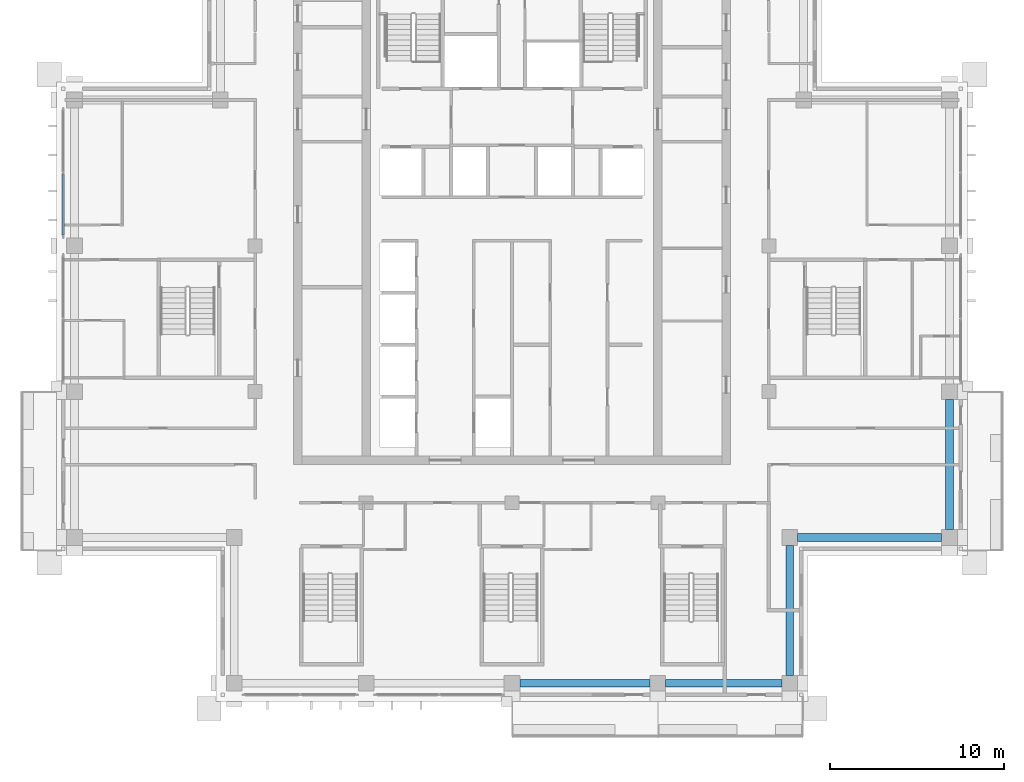
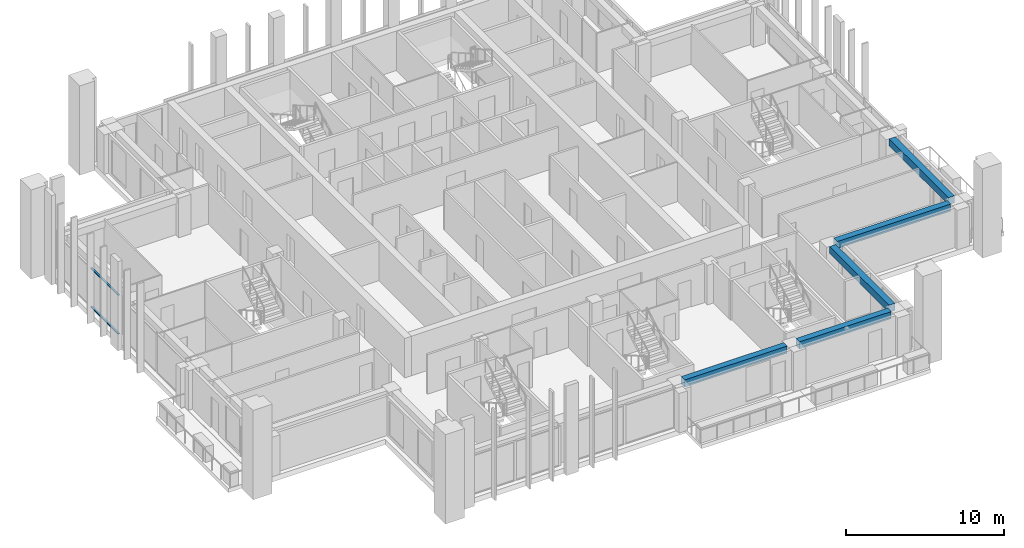
# One storey, part 3 of 18: 5 beams, 2 members, 1 element without a shape of its own.
"""IFC4 building model written with IfcOpenShell, lengths in metres."""

from ifc_helpers import new_model, si_unit, direction, frame, origin, origin_2d, place, context, subcontext, project, spatial, rectangle, extrude, material, material_profile, profile_set, type_object, element, aggregate, save


model = new_model("IFC4")

# Units and contexts
model_context = context("Model", 3, precision=1e-05, world=origin(), true_north=direction((0.0, 1.0)))
body_context = subcontext(model_context, "Body", "Model", "MODEL_VIEW")
ifc_project = project(units=[si_unit("LENGTHUNIT", "METRE"), si_unit("AREAUNIT", "SQUARE_METRE"), si_unit("VOLUMEUNIT", "CUBIC_METRE"), si_unit("PLANEANGLEUNIT", "RADIAN"), si_unit("MASSUNIT", "GRAM", prefix="KILO")], contexts=[model_context])

# Site, building, storey
site_placement = place(None, origin())
site = spatial("IfcSite", under=ifc_project, at=site_placement, CompositionType="ELEMENT")
building_placement = place(site_placement, origin())
building = spatial("IfcBuilding", under=site, at=building_placement, Name="Vermilion Ogive Tower", CompositionType="ELEMENT")
storey_placement = place(building_placement, frame((0.0, 0.0, 254.5)))
storey = spatial("IfcBuildingStorey", under=building, at=storey_placement, Name="L67", CompositionType="ELEMENT", Elevation=254.5)

# Curtain wall, members
ifc_material_1 = material(Name="Low-iron laminated glazing in aluminium frame", Category="aluminium")
curtain_wall_type = type_object("IfcCurtainWallType", Name="Curtain wall CW7", PredefinedType="NOTDEFINED", material=ifc_material_1)
curtain_wall_placement = place(storey_placement, origin())
curtain_wall = element("IfcCurtainWall", 1, at=curtain_wall_placement, inside=storey, type_object=curtain_wall_type, Name="Glazed skin W1", PredefinedType="NOTDEFINED")
ifc_material_2 = material(Name="Aluminium transom", Category="aluminium")
ifc_material_profile_1 = material_profile(ifc_material_2, rectangle(XDim=0.139892578125, YDim=0.06005859375, at=origin_2d()), Name="AL 60x140")
ifc_profile_set_1 = profile_set([ifc_material_profile_1], Name="Aluminium transom")
member_type = type_object("IfcMemberType", Name="CW7 transom 60x140", PredefinedType="USERDEFINED", material=ifc_profile_set_1)
member_1_placement = place(storey_placement, frame((-25.85009765625, 8.31005859375, 0.030029296875), z_axis=(0.0, -1.0, 0.0), x_axis=(1.0, 0.0, 0.0)))
member_1 = element("IfcMember", 2, at=member_1_placement, type_object=member_type, Name="CW7-W1 transom 2.1", ObjectType="TRANSOM", PredefinedType="USERDEFINED", context=body_context, shape_type="SweptSolid", body=[
    extrude(rectangle(XDim=0.139892578125, YDim=0.06005859375, at=origin_2d()), origin(), (0.0, 0.0, 1.0), 3.47998046875),
])
member_2_placement = place(storey_placement, frame((-25.85009765625, 8.31005859375, 3.02001953125), z_axis=(0.0, -1.0, 0.0), x_axis=(1.0, 0.0, 0.0)))
member_2 = element("IfcMember", 3, at=member_2_placement, type_object=member_type, Name="CW7-W1 transom 2.2", ObjectType="TRANSOM", PredefinedType="USERDEFINED", context=body_context, shape_type="SweptSolid", body=[
    extrude(rectangle(XDim=0.139892578125, YDim=0.06005859375, at=origin_2d()), origin(), (0.0, 0.0, 1.0), 3.47998046875),
])
aggregate(curtain_wall, [member_1, member_2])

# Beams
ifc_material_3 = material(Name="Concrete B45", Category="concrete")
ifc_material_profile_2 = material_profile(ifc_material_3, rectangle(XDim=0.449951171875, YDim=0.550048828125, at=origin_2d()), Name="450 x 550")
ifc_profile_set_2 = profile_set([ifc_material_profile_2], Name="Concrete B45")
beam_type = type_object("IfcBeamType", Name="Edge beam 450 x 550 B45", PredefinedType="BEAM", material=ifc_profile_set_2)
beam_1_placement = place(storey_placement, frame((0.449951171875, -21.0, 2.77490234375), z_axis=(1.0, 0.0, 0.0), x_axis=(0.0, 1.0, 0.0)))
element("IfcBeam", 4, at=beam_1_placement, inside=storey, type_object=beam_type, Name="L67-EB-3", PredefinedType="BEAM", context=body_context, shape_type="SweptSolid", body=[
    extrude(rectangle(XDim=0.449951171875, YDim=0.550048828125, at=origin_2d()), origin(), (0.0, 0.0, 1.0), 7.5),
])
beam_2_placement = place(storey_placement, frame((8.85009765625, -21.0, 2.77490234375), z_axis=(1.0, 0.0, 0.0), x_axis=(0.0, 1.0, 0.0)))
element("IfcBeam", 5, at=beam_2_placement, inside=storey, type_object=beam_type, Name="L67-EB-4", PredefinedType="BEAM", context=body_context, shape_type="SweptSolid", body=[
    extrude(rectangle(XDim=0.449951171875, YDim=0.550048828125, at=origin_2d()), origin(), (0.0, 0.0, 1.0), 6.699951171875),
])
beam_3_placement = place(storey_placement, frame((16.0, -20.550048828125, 2.77490234375), z_axis=(0.0, 1.0, 0.0), x_axis=(-1.0, 0.0, 0.0)))
element("IfcBeam", 6, at=beam_3_placement, inside=storey, type_object=beam_type, Name="L67-EB-5", PredefinedType="BEAM", context=body_context, shape_type="SweptSolid", body=[
    extrude(rectangle(XDim=0.449951171875, YDim=0.550048828125, at=origin_2d()), origin(), (0.0, 0.0, 1.0), 7.5),
])
beam_4_placement = place(storey_placement, frame((16.449951171875, -12.60009765625, 2.77490234375), z_axis=(1.0, 0.0, 0.0), x_axis=(0.0, 1.0, 0.0)))
element("IfcBeam", 7, at=beam_4_placement, inside=storey, type_object=beam_type, Name="L67-EB-6", PredefinedType="BEAM", context=body_context, shape_type="SweptSolid", body=[
    extrude(rectangle(XDim=0.449951171875, YDim=0.550048828125, at=origin_2d()), origin(), (0.0, 0.0, 1.0), 8.300048828125),
])
beam_5_placement = place(storey_placement, frame((25.199951171875, -12.14990234375, 2.77490234375), z_axis=(0.0, 1.0, 0.0), x_axis=(-1.0, 0.0, 0.0)))
element("IfcBeam", 8, at=beam_5_placement, inside=storey, type_object=beam_type, Name="L67-EB-7", PredefinedType="BEAM", context=body_context, shape_type="SweptSolid", body=[
    extrude(rectangle(XDim=0.449951171875, YDim=0.550048828125, at=origin_2d()), origin(), (0.0, 0.0, 1.0), 7.5),
])

save(model, "model.ifc")
